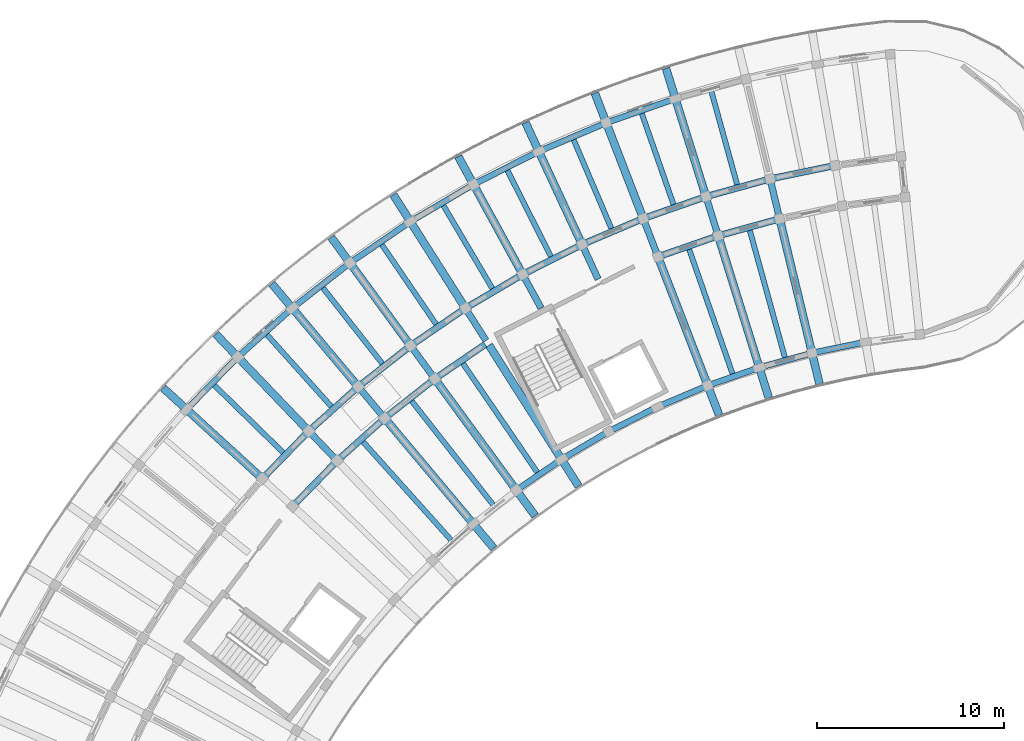
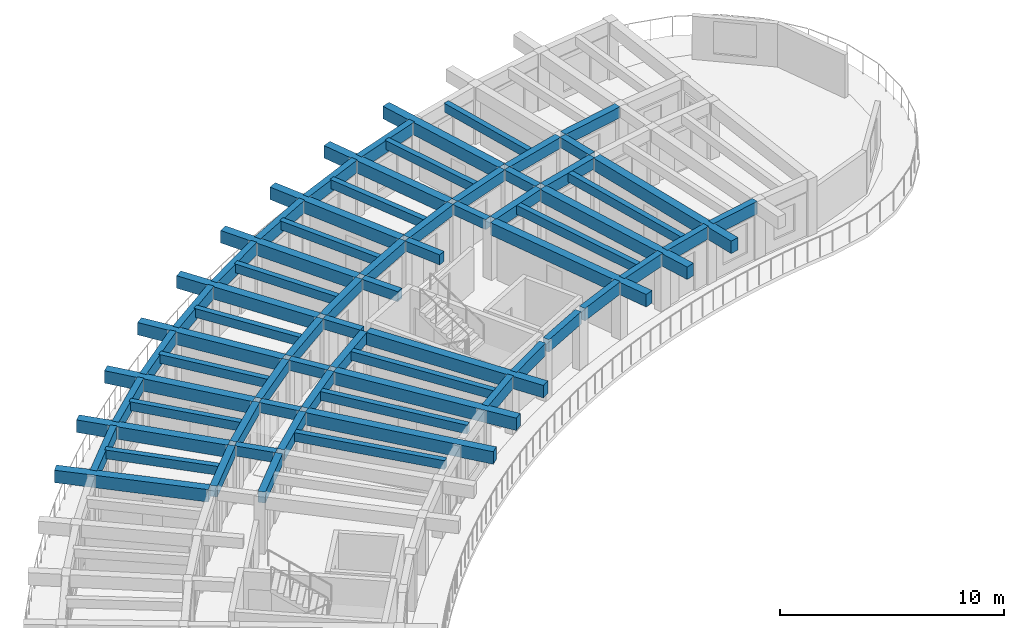
# One storey, part 8 of 56: 69 beams.
"""IFC4 building model written with IfcOpenShell, lengths in metres."""

from ifc_helpers import new_model, si_unit, direction, frame, origin, origin_2d, place, context, subcontext, project, spatial, rectangle, extrude, material, material_profile, profile_set, type_object, element, save


model = new_model("IFC4")

# Units and contexts
model_context = context("Model", 3, precision=1e-05, world=origin(), true_north=direction((0.0, 1.0)))
body_context = subcontext(model_context, "Body", "Model", "MODEL_VIEW")
ifc_project = project(units=[si_unit("LENGTHUNIT", "METRE"), si_unit("AREAUNIT", "SQUARE_METRE"), si_unit("VOLUMEUNIT", "CUBIC_METRE"), si_unit("PLANEANGLEUNIT", "RADIAN"), si_unit("MASSUNIT", "GRAM", prefix="KILO")], contexts=[model_context])

# Site, building, storey
site_placement = place(None, origin())
site = spatial("IfcSite", under=ifc_project, at=site_placement, CompositionType="ELEMENT")
building_placement = place(site_placement, origin())
building = spatial("IfcBuilding", under=site, at=building_placement, Name="Tanwirah Colonnade Gardens", CompositionType="ELEMENT")
storey_placement = place(building_placement, frame((0.0, 0.0, 29.0)))
storey = spatial("IfcBuildingStorey", under=building, at=storey_placement, Name="L08", CompositionType="ELEMENT", Elevation=29.0)

# Beams
ifc_material_1 = material(Name="Precast concrete C40/50", Category="concrete")
ifc_material_profile_1 = material_profile(ifc_material_1, rectangle(XDim=0.35009765625, YDim=0.550048828125, at=origin_2d()), Name="PC-BM 350x550")
ifc_profile_set_1 = profile_set([ifc_material_profile_1], Name="Precast concrete C40/50")
beam_type_1 = type_object("IfcBeamType", Name="BM-PC350A", PredefinedType="BEAM", material=ifc_profile_set_1)
beam_1_placement = place(storey_placement, frame((52.811767578125, 110.75146484375, 2.840087890625), z_axis=(-0.234364199778, 0.972148868159, 0.0), x_axis=(-0.972148868159, -0.234364199778, 0.0)))
element("IfcBeam", 1, at=beam_1_placement, inside=storey, type_object=beam_type_1, Name="Block A L08 Corridor Tie Beam 2", PredefinedType="BEAM", context=body_context, shape_type="SweptSolid", body=[
    extrude(rectangle(XDim=0.35009765625, YDim=0.550048828125, at=origin_2d()), origin(), (0.0, 0.0, 1.0), 1.900146484375),
])
for number, where, z_axis, x_axis, name in (
    (2, (49.507568359375, 109.838623046875, 2.840087890625), (-0.297857918398, 0.954610213882, 0.0), (-0.954610213882, -0.297857918398, 0.0), "Block A L08 Corridor Tie Beam 3"),
    (3, (46.270751953125, 108.7099609375, 2.840087890625), (-0.360175656082, 0.932884503444, 0.0), (-0.932884503444, -0.360175656082, 0.0), "Block A L08 Corridor Tie Beam 4"),
    (4, (43.115234375, 107.37060546875, 2.840087890625), (-0.420858322681, 0.90712638162, 0.0), (-0.90712638162, -0.420858322681, 0.0), "Block A L08 Corridor Tie Beam 5"),
    (5, (40.054931640625, 105.826171875, 2.840087890625), (-0.479707235792, 0.877428611301, 0.0), (-0.877428611301, -0.479707235792, 0.0), "Block A L08 Corridor Tie Beam 6"),
    (6, (37.10302734375, 104.08349609375, 2.840087890625), (-0.536509579595, 0.843894229749, 0.0), (-0.843894229749, -0.536509579595, 0.0), "Block A L08 Corridor Tie Beam 7"),
):
    element("IfcBeam", number, at=place(storey_placement, frame(where, z_axis=z_axis, x_axis=x_axis)), inside=storey, type_object=beam_type_1, Name=name, PredefinedType="BEAM", context=body_context, shape_type="SweptSolid", body=[
        extrude(rectangle(XDim=0.35009765625, YDim=0.550048828125, at=origin_2d()), origin(), (0.0, 0.0, 1.0), 1.89990234375),
    ])
beam_2_placement = place(storey_placement, frame((34.272216796875, 102.14990234375, 2.840087890625), z_axis=(-0.590895676149, 0.806747977939, 0.0), x_axis=(-0.806747977939, -0.590895676149, 0.0)))
element("IfcBeam", 7, at=beam_2_placement, inside=storey, type_object=beam_type_1, Name="Block A L08 Corridor Tie Beam 8", PredefinedType="BEAM", context=body_context, shape_type="SweptSolid", body=[
    extrude(rectangle(XDim=0.35009765625, YDim=0.550048828125, at=origin_2d()), origin(), (0.0, 0.0, 1.0), 1.900146484375),
])
beam_3_placement = place(storey_placement, frame((31.574951171875, 100.034423828125, 2.840087890625), z_axis=(-0.642797194343, 0.766036400535, 0.0), x_axis=(-0.766036400535, -0.642797194343, 0.0)))
element("IfcBeam", 8, at=beam_3_placement, inside=storey, type_object=beam_type_1, Name="Block A L08 Corridor Tie Beam 9", PredefinedType="BEAM", context=body_context, shape_type="SweptSolid", body=[
    extrude(rectangle(XDim=0.35009765625, YDim=0.550048828125, at=origin_2d()), origin(), (0.0, 0.0, 1.0), 1.89990234375),
])
beam_4_placement = place(storey_placement, frame((29.023193359375, 97.74560546875, 2.840087890625), z_axis=(-0.691913735329, 0.721980181766, 0.0), x_axis=(-0.721980181766, -0.691913735329, 0.0)))
element("IfcBeam", 9, at=beam_4_placement, inside=storey, type_object=beam_type_1, Name="Block A L08 Corridor Tie Beam 10", PredefinedType="BEAM", context=body_context, shape_type="SweptSolid", body=[
    extrude(rectangle(XDim=0.35009765625, YDim=0.550048828125, at=origin_2d()), origin(), (0.0, 0.0, 1.0), 1.900146484375),
])
ifc_material_profile_2 = material_profile(ifc_material_1, rectangle(XDim=0.35009765625, YDim=0.60009765625, at=origin_2d()), Name="PC-BM 350x600")
ifc_profile_set_2 = profile_set([ifc_material_profile_2], Name="Precast concrete C40/50")
beam_type_2 = type_object("IfcBeamType", Name="BM-PC350B", PredefinedType="BEAM", material=ifc_profile_set_2)
beam_5_placement = place(storey_placement, frame((55.673828125, 113.4345703125, 2.81494140625), z_axis=(-0.979335599813, -0.202241892146, 0.0), x_axis=(0.202241892146, -0.979335599813, 0.0)))
element("IfcBeam", 10, at=beam_5_placement, inside=storey, type_object=beam_type_2, Name="Block A L08 Circumferential Beam 1-R2", PredefinedType="BEAM", context=body_context, shape_type="SweptSolid", body=[
    extrude(rectangle(XDim=0.35009765625, YDim=0.60009765625, at=origin_2d()), origin(), (0.0, 0.0, 1.0), 3.262939453125),
])
beam_6_placement = place(storey_placement, frame((52.702392578125, 110.565673828125, 2.81494140625), z_axis=(-0.963894965188, -0.266282737114, 0.0), x_axis=(0.266282737114, -0.963894965188, 0.0)))
element("IfcBeam", 11, at=beam_6_placement, inside=storey, type_object=beam_type_2, Name="Block A L08 Circumferential Beam 2-R1", PredefinedType="BEAM", context=body_context, shape_type="SweptSolid", body=[
    extrude(rectangle(XDim=0.35009765625, YDim=0.60009765625, at=origin_2d()), origin(), (0.0, 0.0, 1.0), 3.1181640625),
])
beam_7_placement = place(storey_placement, frame((52.186767578125, 112.704345703125, 2.81494140625), z_axis=(-0.9638953302, -0.266281415833, 0.0), x_axis=(0.266281415833, -0.9638953302, 0.0)))
element("IfcBeam", 12, at=beam_7_placement, inside=storey, type_object=beam_type_2, Name="Block A L08 Circumferential Beam 2-R2", PredefinedType="BEAM", context=body_context, shape_type="SweptSolid", body=[
    extrude(rectangle(XDim=0.35009765625, YDim=0.60009765625, at=origin_2d()), origin(), (0.0, 0.0, 1.0), 3.26318359375),
])
beam_8_placement = place(storey_placement, frame((49.41064453125, 109.64599609375, 2.81494140625), z_axis=(-0.944248304077, -0.329234172358, 0.0), x_axis=(0.329234172358, -0.944248304077, 0.0)))
element("IfcBeam", 13, at=beam_8_placement, inside=storey, type_object=beam_type_2, Name="Block A L08 Circumferential Beam 3-R1", PredefinedType="BEAM", context=body_context, shape_type="SweptSolid", body=[
    extrude(rectangle(XDim=0.35009765625, YDim=0.60009765625, at=origin_2d()), origin(), (0.0, 0.0, 1.0), 3.1181640625),
])
for number, where, z_axis, x_axis, name in (
    (14, (48.755126953125, 111.74609375, 2.81494140625), (-0.944231021702, -0.329283734272, 0.0), (0.329283734272, -0.944231021702, 0.0), "Block A L08 Circumferential Beam 3-R2"),
    (15, (45.394287109375, 110.563720703125, 2.81494140625), (-0.920513294115, -0.390711242938, 0.0), (0.390711242938, -0.920513294115, 0.0), "Block A L08 Circumferential Beam 4-R2"),
):
    element("IfcBeam", number, at=place(storey_placement, frame(where, z_axis=z_axis, x_axis=x_axis)), inside=storey, type_object=beam_type_2, Name=name, PredefinedType="BEAM", context=body_context, shape_type="SweptSolid", body=[
        extrude(rectangle(XDim=0.35009765625, YDim=0.60009765625, at=origin_2d()), origin(), (0.0, 0.0, 1.0), 3.262939453125),
    ])
for number, where, z_axis, x_axis, name in (
    (16, (42.11865234375, 109.16259765625, 2.81494140625), (-0.89276014323, -0.450532270387, 0.0), (0.450532270387, -0.89276014323, 0.0), "Block A L08 Circumferential Beam 5-R2"),
    (17, (38.9423828125, 107.548583984375, 2.81494140625), (-0.861134978964, -0.508376384193, 0.0), (0.508376384193, -0.861134978964, 0.0), "Block A L08 Circumferential Beam 6-R2"),
):
    element("IfcBeam", number, at=place(storey_placement, frame(where, z_axis=z_axis, x_axis=x_axis)), inside=storey, type_object=beam_type_2, Name=name, PredefinedType="BEAM", context=body_context, shape_type="SweptSolid", body=[
        extrude(rectangle(XDim=0.35009765625, YDim=0.60009765625, at=origin_2d()), origin(), (0.0, 0.0, 1.0), 3.26318359375),
    ])
beam_9_placement = place(storey_placement, frame((37.0595703125, 103.872314453125, 2.81494140625), z_axis=(-0.825758291455, -0.564024152047, 0.0), x_axis=(0.564024152047, -0.825758291455, 0.0)))
element("IfcBeam", 18, at=beam_9_placement, inside=storey, type_object=beam_type_2, Name="Block A L08 Circumferential Beam 7-R1", PredefinedType="BEAM", context=body_context, shape_type="SweptSolid", body=[
    extrude(rectangle(XDim=0.35009765625, YDim=0.60009765625, at=origin_2d()), origin(), (0.0, 0.0, 1.0), 3.118408203125),
])
beam_10_placement = place(storey_placement, frame((35.87939453125, 105.728759765625, 2.81494140625), z_axis=(-0.825782284145, -0.563989024, 0.0), x_axis=(0.563989024, -0.825782284145, 0.0)))
element("IfcBeam", 19, at=beam_10_placement, inside=storey, type_object=beam_type_2, Name="Block A L08 Circumferential Beam 7-R2", PredefinedType="BEAM", context=body_context, shape_type="SweptSolid", body=[
    extrude(rectangle(XDim=0.35009765625, YDim=0.60009765625, at=origin_2d()), origin(), (0.0, 0.0, 1.0), 3.26318359375),
])
beam_11_placement = place(storey_placement, frame((34.242919921875, 101.9365234375, 2.81494140625), z_axis=(-0.78679899272, -0.617209320292, 0.0), x_axis=(0.617209320292, -0.78679899272, 0.0)))
element("IfcBeam", 20, at=beam_11_placement, inside=storey, type_object=beam_type_2, Name="Block A L08 Circumferential Beam 8-R1", PredefinedType="BEAM", context=body_context, shape_type="SweptSolid", body=[
    extrude(rectangle(XDim=0.35009765625, YDim=0.60009765625, at=origin_2d()), origin(), (0.0, 0.0, 1.0), 3.1181640625),
])
beam_12_placement = place(storey_placement, frame((32.94287109375, 103.711181640625, 2.81494140625), z_axis=(-0.786839882256, -0.617157192044, 0.0), x_axis=(0.617157192044, -0.786839882256, 0.0)))
element("IfcBeam", 21, at=beam_12_placement, inside=storey, type_object=beam_type_2, Name="Block A L08 Circumferential Beam 8-R2", PredefinedType="BEAM", context=body_context, shape_type="SweptSolid", body=[
    extrude(rectangle(XDim=0.35009765625, YDim=0.60009765625, at=origin_2d()), origin(), (0.0, 0.0, 1.0), 3.26318359375),
])
beam_13_placement = place(storey_placement, frame((31.559814453125, 99.8193359375, 2.81494140625), z_axis=(-0.744429866059, -0.667700662363, 0.0), x_axis=(0.667700662363, -0.744429866059, 0.0)))
element("IfcBeam", 22, at=beam_13_placement, inside=storey, type_object=beam_type_2, Name="Block A L08 Circumferential Beam 9-R1", PredefinedType="BEAM", context=body_context, shape_type="SweptSolid", body=[
    extrude(rectangle(XDim=0.35009765625, YDim=0.60009765625, at=origin_2d()), origin(), (0.0, 0.0, 1.0), 3.1181640625),
])
beam_14_placement = place(storey_placement, frame((30.145751953125, 101.504638671875, 2.81494140625), z_axis=(-0.744409136578, -0.667723773262, 0.0), x_axis=(0.667723773262, -0.744409136578, 0.0)))
element("IfcBeam", 23, at=beam_14_placement, inside=storey, type_object=beam_type_2, Name="Block A L08 Circumferential Beam 9-R2", PredefinedType="BEAM", context=body_context, shape_type="SweptSolid", body=[
    extrude(rectangle(XDim=0.35009765625, YDim=0.60009765625, at=origin_2d()), origin(), (0.0, 0.0, 1.0), 3.26318359375),
])
beam_15_placement = place(storey_placement, frame((29.02197265625, 97.52978515625, 2.81494140625), z_axis=(-0.698837366631, -0.715280598787, 0.0), x_axis=(0.715280598787, -0.698837366631, 0.0)))
element("IfcBeam", 24, at=beam_15_placement, inside=storey, type_object=beam_type_2, Name="Block A L08 Circumferential Beam 10-R1", PredefinedType="BEAM", context=body_context, shape_type="SweptSolid", body=[
    extrude(rectangle(XDim=0.35009765625, YDim=0.60009765625, at=origin_2d()), origin(), (0.0, 0.0, 1.0), 3.117919921875),
])
beam_16_placement = place(storey_placement, frame((27.5, 99.118408203125, 2.81494140625), z_axis=(-0.698829447339, -0.71528833594, 0.0), x_axis=(0.71528833594, -0.698829447339, 0.0)))
element("IfcBeam", 25, at=beam_16_placement, inside=storey, type_object=beam_type_2, Name="Block A L08 Circumferential Beam 10-R2", PredefinedType="BEAM", context=body_context, shape_type="SweptSolid", body=[
    extrude(rectangle(XDim=0.35009765625, YDim=0.60009765625, at=origin_2d()), origin(), (0.0, 0.0, 1.0), 3.263427734375),
])
ifc_material_2 = material(Name="Precast concrete C45/55", Category="concrete")
ifc_material_profile_3 = material_profile(ifc_material_2, rectangle(XDim=0.419921875, YDim=0.679931640625, at=origin_2d()), Name="PC-BM 420x680")
ifc_profile_set_3 = profile_set([ifc_material_profile_3], Name="Precast concrete C45/55")
beam_type_3 = type_object("IfcBeamType", Name="BM-PC420", PredefinedType="BEAM", material=ifc_profile_set_3)
beam_17_placement = place(storey_placement, frame((52.882080078125, 110.459716796875, 2.77490234375), z_axis=(0.234401428133, -0.972139892448, 0.0), x_axis=(0.972139892448, 0.234401428133, 0.0)))
element("IfcBeam", 26, at=beam_17_placement, inside=storey, type_object=beam_type_3, Name="Block A L08 Inner Radial Precast Girder 2", PredefinedType="BEAM", context=body_context, shape_type="SweptSolid", body=[
    extrude(rectangle(XDim=0.419921875, YDim=0.679931640625, at=origin_2d()), origin(), (0.0, 0.0, 1.0), 8.949951171875),
])
beam_18_placement = place(storey_placement, frame((49.596923828125, 109.55224609375, 2.77490234375), z_axis=(0.29792861283, -0.9545881529, 0.0), x_axis=(0.9545881529, 0.29792861283, 0.0)))
element("IfcBeam", 27, at=beam_18_placement, inside=storey, type_object=beam_type_3, Name="Block A L08 Inner Radial Precast Girder 3", PredefinedType="BEAM", context=body_context, shape_type="SweptSolid", body=[
    extrude(rectangle(XDim=0.419921875, YDim=0.679931640625, at=origin_2d()), origin(), (0.0, 0.0, 1.0), 8.9501953125),
])
beam_19_placement = place(storey_placement, frame((48.852294921875, 111.938720703125, 2.77490234375), z_axis=(-0.297957513373, 0.954579132511, 0.0), x_axis=(-0.954579132511, -0.297957513373, 0.0)))
element("IfcBeam", 28, at=beam_19_placement, inside=storey, type_object=beam_type_3, Name="Block A L08 Outer Radial Precast Girder 3", PredefinedType="BEAM", context=body_context, shape_type="SweptSolid", body=[
    extrude(rectangle(XDim=0.419921875, YDim=0.679931640625, at=origin_2d()), origin(), (0.0, 0.0, 1.0), 7.050048828125),
])
beam_20_placement = place(storey_placement, frame((46.37890625, 108.43017578125, 2.77490234375), z_axis=(0.360155980892, -0.932892099563, 0.0), x_axis=(0.932892099563, 0.360155980892, 0.0)))
element("IfcBeam", 29, at=beam_20_placement, inside=storey, type_object=beam_type_3, Name="Block A L08 Inner Radial Precast Girder 4", PredefinedType="BEAM", context=body_context, shape_type="SweptSolid", body=[
    extrude(rectangle(XDim=0.419921875, YDim=0.679931640625, at=origin_2d()), origin(), (0.0, 0.0, 1.0), 8.949951171875),
])
for number, where, z_axis, x_axis, name in (
    (30, (45.478271484375, 110.76220703125, 2.77490234375), (-0.360150678391, 0.932894146651, 0.0), (-0.932894146651, -0.360150678391, 0.0), "Block A L08 Outer Radial Precast Girder 4"),
    (31, (42.189453125, 109.3662109375, 2.77490234375), (-0.420855908645, 0.9071275016, 0.0), (-0.9071275016, -0.420855908645, 0.0), "Block A L08 Outer Radial Precast Girder 5"),
    (32, (38.99951171875, 107.75634765625, 2.77490234375), (-0.479686549155, 0.877439920769, 0.0), (-0.877439920769, -0.479686549155, 0.0), "Block A L08 Outer Radial Precast Girder 6"),
):
    element("IfcBeam", number, at=place(storey_placement, frame(where, z_axis=z_axis, x_axis=x_axis)), inside=storey, type_object=beam_type_3, Name=name, PredefinedType="BEAM", context=body_context, shape_type="SweptSolid", body=[
        extrude(rectangle(XDim=0.419921875, YDim=0.679931640625, at=origin_2d()), origin(), (0.0, 0.0, 1.0), 7.050048828125),
    ])
beam_21_placement = place(storey_placement, frame((37.263916015625, 103.830322265625, 2.77490234375), z_axis=(0.536483588607, -0.843910753075, 0.0), x_axis=(0.843910753075, 0.536483588607, 0.0)))
element("IfcBeam", 33, at=beam_21_placement, inside=storey, type_object=beam_type_3, Name="Block A L08 Inner Radial Precast Girder 7", PredefinedType="BEAM", context=body_context, shape_type="SweptSolid", body=[
    extrude(rectangle(XDim=0.419921875, YDim=0.679931640625, at=origin_2d()), origin(), (0.0, 0.0, 1.0), 8.949951171875),
])
beam_22_placement = place(storey_placement, frame((35.922607421875, 105.93994140625, 2.77490234375), z_axis=(-0.536476584537, 0.8439152056, 0.0), x_axis=(-0.8439152056, -0.536476584537, 0.0)))
element("IfcBeam", 34, at=beam_22_placement, inside=storey, type_object=beam_type_3, Name="Block A L08 Outer Radial Precast Girder 7", PredefinedType="BEAM", context=body_context, shape_type="SweptSolid", body=[
    extrude(rectangle(XDim=0.419921875, YDim=0.679931640625, at=origin_2d()), origin(), (0.0, 0.0, 1.0), 7.050048828125),
])
beam_23_placement = place(storey_placement, frame((34.449462890625, 101.907958984375, 2.77490234375), z_axis=(0.590927205009, -0.806724883947, 0.0), x_axis=(0.806724883947, 0.590927205009, 0.0)))
element("IfcBeam", 35, at=beam_23_placement, inside=storey, type_object=beam_type_3, Name="Block A L08 Inner Radial Precast Girder 8", PredefinedType="BEAM", context=body_context, shape_type="SweptSolid", body=[
    extrude(rectangle(XDim=0.419921875, YDim=0.679931640625, at=origin_2d()), origin(), (0.0, 0.0, 1.0), 8.949951171875),
])
beam_24_placement = place(storey_placement, frame((32.97216796875, 103.9248046875, 2.77490234375), z_axis=(-0.590919194225, 0.806730751798, 0.0), x_axis=(-0.806730751798, -0.590919194225, 0.0)))
element("IfcBeam", 36, at=beam_24_placement, inside=storey, type_object=beam_type_3, Name="Block A L08 Outer Radial Precast Girder 8", PredefinedType="BEAM", context=body_context, shape_type="SweptSolid", body=[
    extrude(rectangle(XDim=0.419921875, YDim=0.679931640625, at=origin_2d()), origin(), (0.0, 0.0, 1.0), 7.050048828125),
])
beam_25_placement = place(storey_placement, frame((31.767822265625, 99.804443359375, 2.77490234375), z_axis=(0.64279407932, -0.766039014406, 0.0), x_axis=(0.766039014406, 0.64279407932, 0.0)))
element("IfcBeam", 37, at=beam_25_placement, inside=storey, type_object=beam_type_3, Name="Block A L08 Inner Radial Precast Girder 9", PredefinedType="BEAM", context=body_context, shape_type="SweptSolid", body=[
    extrude(rectangle(XDim=0.419921875, YDim=0.679931640625, at=origin_2d()), origin(), (0.0, 0.0, 1.0), 8.949951171875),
])
beam_26_placement = place(storey_placement, frame((30.160888671875, 101.7197265625, 2.77490234375), z_axis=(-0.642810291951, 0.766025409867, 0.0), x_axis=(-0.766025409867, -0.642810291951, 0.0)))
element("IfcBeam", 38, at=beam_26_placement, inside=storey, type_object=beam_type_3, Name="Block A L08 Outer Radial Precast Girder 9", PredefinedType="BEAM", context=body_context, shape_type="SweptSolid", body=[
    extrude(rectangle(XDim=0.419921875, YDim=0.679931640625, at=origin_2d()), origin(), (0.0, 0.0, 1.0), 7.0498046875),
])
for number, where, z_axis, x_axis, name in (
    (39, (27.5009765625, 99.333984375, 2.77490234375), (-0.691864746793, 0.722027127015, 0.0), (-0.722027127015, -0.691864746793, 0.0), "Block A L08 Outer Radial Precast Girder 10"),
    (40, (25.004150390625, 96.7783203125, 2.77490234375), (-0.737934199263, 0.674872667663, 0.0), (-0.674872667663, -0.737934199263, 0.0), "Block A L08 Outer Radial Precast Girder 11"),
):
    element("IfcBeam", number, at=place(storey_placement, frame(where, z_axis=z_axis, x_axis=x_axis)), inside=storey, type_object=beam_type_3, Name=name, PredefinedType="BEAM", context=body_context, shape_type="SweptSolid", body=[
        extrude(rectangle(XDim=0.419921875, YDim=0.679931640625, at=origin_2d()), origin(), (0.0, 0.0, 1.0), 7.050048828125),
    ])
ifc_material_profile_4 = material_profile(ifc_material_1, rectangle(XDim=0.280029296875, YDim=0.47998046875, at=origin_2d()), Name="PC-JST 280x480")
ifc_profile_set_4 = profile_set([ifc_material_profile_4], Name="Precast concrete C40/50")
beam_type_4 = type_object("IfcBeamType", Name="JST-PC280", PredefinedType="JOIST", material=ifc_profile_set_4)
beam_27_placement = place(storey_placement, frame((50.57421875, 112.413818359375, 2.875), z_axis=(-0.266281476085, 0.963895313555, 0.0), x_axis=(-0.963895313555, -0.266281476085, 0.0)))
element("IfcBeam", 41, at=beam_27_placement, inside=storey, type_object=beam_type_4, Name="Block A L08 Precast Floor Joist 2", PredefinedType="JOIST", context=body_context, shape_type="SweptSolid", body=[
    extrude(rectangle(XDim=0.280029296875, YDim=0.47998046875, at=origin_2d()), origin(), (0.0, 0.0, 1.0), 5.260009765625),
])
beam_28_placement = place(storey_placement, frame((53.130859375, 103.16064453125, 2.875), z_axis=(-0.266307034535, 0.963888252526, 0.0), x_axis=(-0.963888252526, -0.266307034535, 0.0)))
element("IfcBeam", 42, at=beam_28_placement, inside=storey, type_object=beam_type_4, Name="Block A L08 Inner Precast Floor Joist 2", PredefinedType="JOIST", context=body_context, shape_type="SweptSolid", body=[
    extrude(rectangle(XDim=0.280029296875, YDim=0.47998046875, at=origin_2d()), origin(), (0.0, 0.0, 1.0), 7.159912109375),
])
beam_29_placement = place(storey_placement, frame((47.16552734375, 111.349853515625, 2.875), z_axis=(-0.3292586038, 0.944239785131, 0.0), x_axis=(-0.944239785131, -0.3292586038, 0.0)))
element("IfcBeam", 43, at=beam_29_placement, inside=storey, type_object=beam_type_4, Name="Block A L08 Precast Floor Joist 3", PredefinedType="JOIST", context=body_context, shape_type="SweptSolid", body=[
    extrude(rectangle(XDim=0.280029296875, YDim=0.47998046875, at=origin_2d()), origin(), (0.0, 0.0, 1.0), 5.260009765625),
])
beam_30_placement = place(storey_placement, frame((50.326171875, 102.28515625, 2.875), z_axis=(-0.329250558112, 0.944242590642, 0.0), x_axis=(-0.944242590642, -0.329250558112, 0.0)))
element("IfcBeam", 44, at=beam_30_placement, inside=storey, type_object=beam_type_4, Name="Block A L08 Inner Precast Floor Joist 3", PredefinedType="JOIST", context=body_context, shape_type="SweptSolid", body=[
    extrude(rectangle(XDim=0.280029296875, YDim=0.47998046875, at=origin_2d()), origin(), (0.0, 0.0, 1.0), 7.159912109375),
])
beam_31_placement = place(storey_placement, frame((43.833984375, 110.063720703125, 2.875), z_axis=(-0.390723870106, 0.92050793442, 0.0), x_axis=(-0.92050793442, -0.390723870106, 0.0)))
element("IfcBeam", 45, at=beam_31_placement, inside=storey, type_object=beam_type_4, Name="Block A L08 Precast Floor Joist 4", PredefinedType="JOIST", context=body_context, shape_type="SweptSolid", body=[
    extrude(rectangle(XDim=0.280029296875, YDim=0.47998046875, at=origin_2d()), origin(), (0.0, 0.0, 1.0), 5.260009765625),
])
for number, where, z_axis, x_axis, name in (
    (46, (40.5947265625, 108.560791015625, 2.875), (-0.450533699488, 0.892759422031, 0.0), (-0.892759422031, -0.450533699488, 0.0), "Block A L08 Precast Floor Joist 5"),
    (47, (37.46142578125, 106.84765625, 2.875), (-0.508360236823, 0.86114451146, 0.0), (-0.86114451146, -0.508360236823, 0.0), "Block A L08 Precast Floor Joist 6"),
):
    element("IfcBeam", number, at=place(storey_placement, frame(where, z_axis=z_axis, x_axis=x_axis)), inside=storey, type_object=beam_type_4, Name=name, PredefinedType="JOIST", context=body_context, shape_type="SweptSolid", body=[
        extrude(rectangle(XDim=0.280029296875, YDim=0.47998046875, at=origin_2d()), origin(), (0.0, 0.0, 1.0), 5.26025390625),
    ])
beam_32_placement = place(storey_placement, frame((34.44775390625, 104.931884765625, 2.875), z_axis=(-0.563973225998, 0.825793073571, 0.0), x_axis=(-0.825793073571, -0.563973225998, 0.0)))
element("IfcBeam", 48, at=beam_32_placement, inside=storey, type_object=beam_type_4, Name="Block A L08 Precast Floor Joist 7", PredefinedType="JOIST", context=body_context, shape_type="SweptSolid", body=[
    extrude(rectangle(XDim=0.280029296875, YDim=0.47998046875, at=origin_2d()), origin(), (0.0, 0.0, 1.0), 5.260009765625),
])
beam_33_placement = place(storey_placement, frame((39.8623046875, 97.004638671875, 2.875), z_axis=(-0.564021195806, 0.825760310672, 0.0), x_axis=(-0.825760310672, -0.564021195806, 0.0)))
element("IfcBeam", 49, at=beam_33_placement, inside=storey, type_object=beam_type_4, Name="Block A L08 Inner Precast Floor Joist 7", PredefinedType="JOIST", context=body_context, shape_type="SweptSolid", body=[
    extrude(rectangle(XDim=0.280029296875, YDim=0.47998046875, at=origin_2d()), origin(), (0.0, 0.0, 1.0), 7.159912109375),
])
beam_34_placement = place(storey_placement, frame((31.56689453125, 102.82177734375, 2.875), z_axis=(-0.617177687243, 0.786823806433, 0.0), x_axis=(-0.786823806433, -0.617177687243, 0.0)))
element("IfcBeam", 50, at=beam_34_placement, inside=storey, type_object=beam_type_4, Name="Block A L08 Precast Floor Joist 8", PredefinedType="JOIST", context=body_context, shape_type="SweptSolid", body=[
    extrude(rectangle(XDim=0.280029296875, YDim=0.47998046875, at=origin_2d()), origin(), (0.0, 0.0, 1.0), 5.260009765625),
])
beam_35_placement = place(storey_placement, frame((37.491943359375, 95.268310546875, 2.875), z_axis=(-0.617202438917, 0.786804390808, 0.0), x_axis=(-0.786804390808, -0.617202438917, 0.0)))
element("IfcBeam", 51, at=beam_35_placement, inside=storey, type_object=beam_type_4, Name="Block A L08 Inner Precast Floor Joist 8", PredefinedType="JOIST", context=body_context, shape_type="SweptSolid", body=[
    extrude(rectangle(XDim=0.280029296875, YDim=0.47998046875, at=origin_2d()), origin(), (0.0, 0.0, 1.0), 7.159912109375),
])
beam_36_placement = place(storey_placement, frame((28.831298828125, 100.5263671875, 2.875), z_axis=(-0.667678987176, 0.744449306591, 0.0), x_axis=(-0.744449306591, -0.667678987176, 0.0)))
element("IfcBeam", 52, at=beam_36_placement, inside=storey, type_object=beam_type_4, Name="Block A L08 Precast Floor Joist 9", PredefinedType="JOIST", context=body_context, shape_type="SweptSolid", body=[
    extrude(rectangle(XDim=0.280029296875, YDim=0.47998046875, at=origin_2d()), origin(), (0.0, 0.0, 1.0), 5.260009765625),
])
beam_37_placement = place(storey_placement, frame((35.2412109375, 93.379638671875, 2.875), z_axis=(-0.667688404274, 0.744440860511, 0.0), x_axis=(-0.744440860511, -0.667688404274, 0.0)))
element("IfcBeam", 53, at=beam_37_placement, inside=storey, type_object=beam_type_4, Name="Block A L08 Inner Precast Floor Joist 9", PredefinedType="JOIST", context=body_context, shape_type="SweptSolid", body=[
    extrude(rectangle(XDim=0.280029296875, YDim=0.47998046875, at=origin_2d()), origin(), (0.0, 0.0, 1.0), 7.16015625),
])
beam_38_placement = place(storey_placement, frame((26.2529296875, 98.0556640625, 2.875), z_axis=(-0.715297399369, 0.698820170327, 0.0), x_axis=(-0.698820170327, -0.715297399369, 0.0)))
element("IfcBeam", 54, at=beam_38_placement, inside=storey, type_object=beam_type_4, Name="Block A L08 Precast Floor Joist 10", PredefinedType="JOIST", context=body_context, shape_type="SweptSolid", body=[
    extrude(rectangle(XDim=0.280029296875, YDim=0.47998046875, at=origin_2d()), origin(), (0.0, 0.0, 1.0), 5.260009765625),
])
ifc_material_profile_5 = material_profile(ifc_material_2, rectangle(XDim=0.320068359375, YDim=0.679931640625, at=origin_2d()), Name="PC-SP 320x680")
ifc_profile_set_5 = profile_set([ifc_material_profile_5], Name="Precast concrete C45/55")
beam_type_5 = type_object("IfcBeamType", Name="SP-PC320", PredefinedType="SPANDREL", material=ifc_profile_set_5)
for number, where, z_axis, x_axis, name in (
    (55, (57.30419921875, 103.973876953125, 2.77490234375), (-0.979351764611, -0.202163599974, 0.0), (0.202163599974, -0.979351764611, 0.0), "Block A L08 Circumferential Beam 1-R0"),
    (56, (54.436767578125, 103.371826171875, 2.77490234375), (-0.96388669146, -0.266312684688, 0.0), (0.266312684688, -0.96388669146, 0.0), "Block A L08 Circumferential Beam 2-R0"),
):
    element("IfcBeam", number, at=place(storey_placement, frame(where, z_axis=z_axis, x_axis=x_axis)), inside=storey, type_object=beam_type_5, Name=name, PredefinedType="SPANDREL", context=body_context, shape_type="SweptSolid", body=[
        extrude(rectangle(XDim=0.320068359375, YDim=0.679931640625, at=origin_2d()), origin(), (0.0, 0.0, 1.0), 2.630126953125),
    ])
beam_39_placement = place(storey_placement, frame((51.615478515625, 102.58203125, 2.77490234375), z_axis=(-0.944249847334, -0.32922974624, 0.0), x_axis=(0.32922974624, -0.944249847334, 0.0)))
element("IfcBeam", 57, at=beam_39_placement, inside=storey, type_object=beam_type_5, Name="Block A L08 Circumferential Beam 3-R0", PredefinedType="SPANDREL", context=body_context, shape_type="SweptSolid", body=[
    extrude(rectangle(XDim=0.320068359375, YDim=0.679931640625, at=origin_2d()), origin(), (0.0, 0.0, 1.0), 2.63037109375),
])
beam_40_placement = place(storey_placement, frame((47.11669921875, 116.996337890625, 2.77490234375), z_axis=(-0.944236700093, -0.329267450863, 0.0), x_axis=(0.329267450863, -0.944236700093, 0.0)))
element("IfcBeam", 58, at=beam_40_placement, inside=storey, type_object=beam_type_5, Name="Block A L08 Circumferential Beam 3-R3", PredefinedType="SPANDREL", context=body_context, shape_type="SweptSolid", body=[
    extrude(rectangle(XDim=0.320068359375, YDim=0.679931640625, at=origin_2d()), origin(), (0.0, 0.0, 1.0), 3.625732421875),
])
beam_41_placement = place(storey_placement, frame((48.85205078125, 101.608154296875, 2.77490234375), z_axis=(-0.920488719784, -0.390769134848, 0.0), x_axis=(0.390769134848, -0.920488719784, 0.0)))
element("IfcBeam", 59, at=beam_41_placement, inside=storey, type_object=beam_type_5, Name="Block A L08 Circumferential Beam 4-R0", PredefinedType="SPANDREL", context=body_context, shape_type="SweptSolid", body=[
    extrude(rectangle(XDim=0.320068359375, YDim=0.679931640625, at=origin_2d()), origin(), (0.0, 0.0, 1.0), 2.63037109375),
])
beam_42_placement = place(storey_placement, frame((43.413330078125, 115.694580078125, 2.77490234375), z_axis=(-0.920494456807, -0.390755620545, 0.0), x_axis=(0.390755620545, -0.920494456807, 0.0)))
element("IfcBeam", 60, at=beam_42_placement, inside=storey, type_object=beam_type_5, Name="Block A L08 Circumferential Beam 4-R3", PredefinedType="SPANDREL", context=body_context, shape_type="SweptSolid", body=[
    extrude(rectangle(XDim=0.320068359375, YDim=0.679931640625, at=origin_2d()), origin(), (0.0, 0.0, 1.0), 3.625732421875),
])
beam_43_placement = place(storey_placement, frame((46.158935546875, 100.4541015625, 2.77490234375), z_axis=(-0.892769015158, -0.450514689632, 0.0), x_axis=(0.450514689632, -0.892769015158, 0.0)))
element("IfcBeam", 61, at=beam_43_placement, inside=storey, type_object=beam_type_5, Name="Block A L08 Circumferential Beam 5-R0", PredefinedType="SPANDREL", context=body_context, shape_type="SweptSolid", body=[
    extrude(rectangle(XDim=0.320068359375, YDim=0.679931640625, at=origin_2d()), origin(), (0.0, 0.0, 1.0), 2.63037109375),
])
beam_44_placement = place(storey_placement, frame((39.803955078125, 114.15185546875, 2.77490234375), z_axis=(-0.892764670911, -0.450523298368, 0.0), x_axis=(0.450523298368, -0.892764670911, 0.0)))
element("IfcBeam", 62, at=beam_44_placement, inside=storey, type_object=beam_type_5, Name="Block A L08 Circumferential Beam 5-R3", PredefinedType="SPANDREL", context=body_context, shape_type="SweptSolid", body=[
    extrude(rectangle(XDim=0.320068359375, YDim=0.679931640625, at=origin_2d()), origin(), (0.0, 0.0, 1.0), 3.6259765625),
])
beam_45_placement = place(storey_placement, frame((43.547607421875, 99.125244140625, 2.77490234375), z_axis=(-0.861148181788, -0.508354019363, 0.0), x_axis=(0.508354019363, -0.861148181788, 0.0)))
element("IfcBeam", 63, at=beam_45_placement, inside=storey, type_object=beam_type_5, Name="Block A L08 Circumferential Beam 6-R0", PredefinedType="SPANDREL", context=body_context, shape_type="SweptSolid", body=[
    extrude(rectangle(XDim=0.320068359375, YDim=0.679931640625, at=origin_2d()), origin(), (0.0, 0.0, 1.0), 2.63037109375),
])
beam_46_placement = place(storey_placement, frame((36.303955078125, 112.37451171875, 2.77490234375), z_axis=(-0.861136912545, -0.5083731089, 0.0), x_axis=(0.5083731089, -0.861136912545, 0.0)))
element("IfcBeam", 64, at=beam_46_placement, inside=storey, type_object=beam_type_5, Name="Block A L08 Circumferential Beam 6-R3", PredefinedType="SPANDREL", context=body_context, shape_type="SweptSolid", body=[
    extrude(rectangle(XDim=0.320068359375, YDim=0.679931640625, at=origin_2d()), origin(), (0.0, 0.0, 1.0), 3.625732421875),
])
beam_47_placement = place(storey_placement, frame((41.029541015625, 97.627197265625, 2.77490234375), z_axis=(-0.825800981874, -0.563961646158, 0.0), x_axis=(0.563961646158, -0.825800981874, 0.0)))
element("IfcBeam", 65, at=beam_47_placement, inside=storey, type_object=beam_type_5, Name="Block A L08 Circumferential Beam 7-R0", PredefinedType="SPANDREL", context=body_context, shape_type="SweptSolid", body=[
    extrude(rectangle(XDim=0.320068359375, YDim=0.679931640625, at=origin_2d()), origin(), (0.0, 0.0, 1.0), 2.63037109375),
])
beam_48_placement = place(storey_placement, frame((32.9287109375, 110.370361328125, 2.77490234375), z_axis=(-0.825782625102, -0.563988524776, 0.0), x_axis=(0.563988524776, -0.825782625102, 0.0)))
element("IfcBeam", 66, at=beam_48_placement, inside=storey, type_object=beam_type_5, Name="Block A L08 Circumferential Beam 7-R3", PredefinedType="SPANDREL", context=body_context, shape_type="SweptSolid", body=[
    extrude(rectangle(XDim=0.320068359375, YDim=0.679931640625, at=origin_2d()), origin(), (0.0, 0.0, 1.0), 3.625732421875),
])
beam_49_placement = place(storey_placement, frame((29.69287109375, 108.148193359375, 2.77490234375), z_axis=(-0.786843799845, -0.617152197311, 0.0), x_axis=(0.617152197311, -0.786843799845, 0.0)))
element("IfcBeam", 67, at=beam_49_placement, inside=storey, type_object=beam_type_5, Name="Block A L08 Circumferential Beam 8-R3", PredefinedType="SPANDREL", context=body_context, shape_type="SweptSolid", body=[
    extrude(rectangle(XDim=0.320068359375, YDim=0.679931640625, at=origin_2d()), origin(), (0.0, 0.0, 1.0), 3.62548828125),
])
beam_50_placement = place(storey_placement, frame((26.6103515625, 105.7177734375, 2.77490234375), z_axis=(-0.744444790955, -0.667684021989, 0.0), x_axis=(0.667684021989, -0.744444790955, 0.0)))
element("IfcBeam", 68, at=beam_50_placement, inside=storey, type_object=beam_type_5, Name="Block A L08 Circumferential Beam 9-R3", PredefinedType="SPANDREL", context=body_context, shape_type="SweptSolid", body=[
    extrude(rectangle(XDim=0.320068359375, YDim=0.679931640625, at=origin_2d()), origin(), (0.0, 0.0, 1.0), 3.625732421875),
])
beam_51_placement = place(storey_placement, frame((23.69482421875, 103.089599609375, 2.77490234375), z_axis=(-0.698844493997, -0.715273635199, 0.0), x_axis=(0.715273635199, -0.698844493997, 0.0)))
element("IfcBeam", 69, at=beam_51_placement, inside=storey, type_object=beam_type_5, Name="Block A L08 Circumferential Beam 10-R3", PredefinedType="SPANDREL", context=body_context, shape_type="SweptSolid", body=[
    extrude(rectangle(XDim=0.320068359375, YDim=0.679931640625, at=origin_2d()), origin(), (0.0, 0.0, 1.0), 3.6259765625),
])

save(model, "model.ifc")
